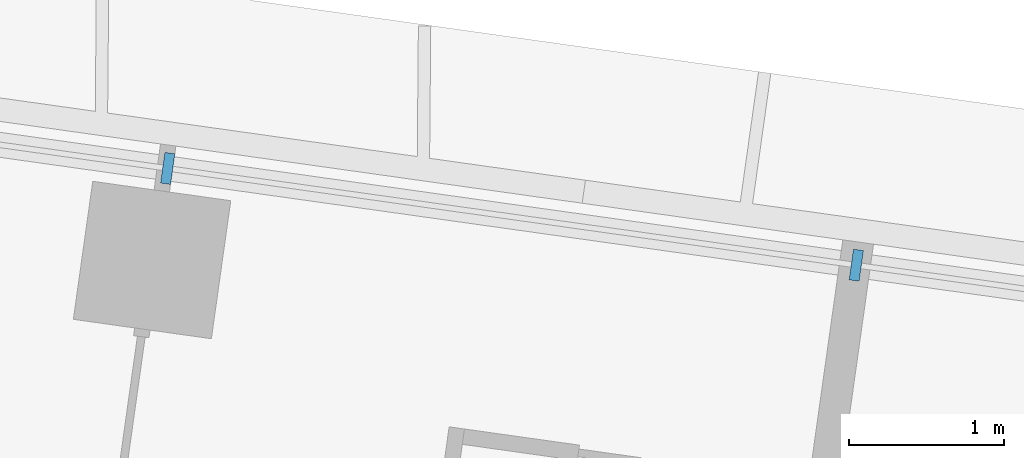
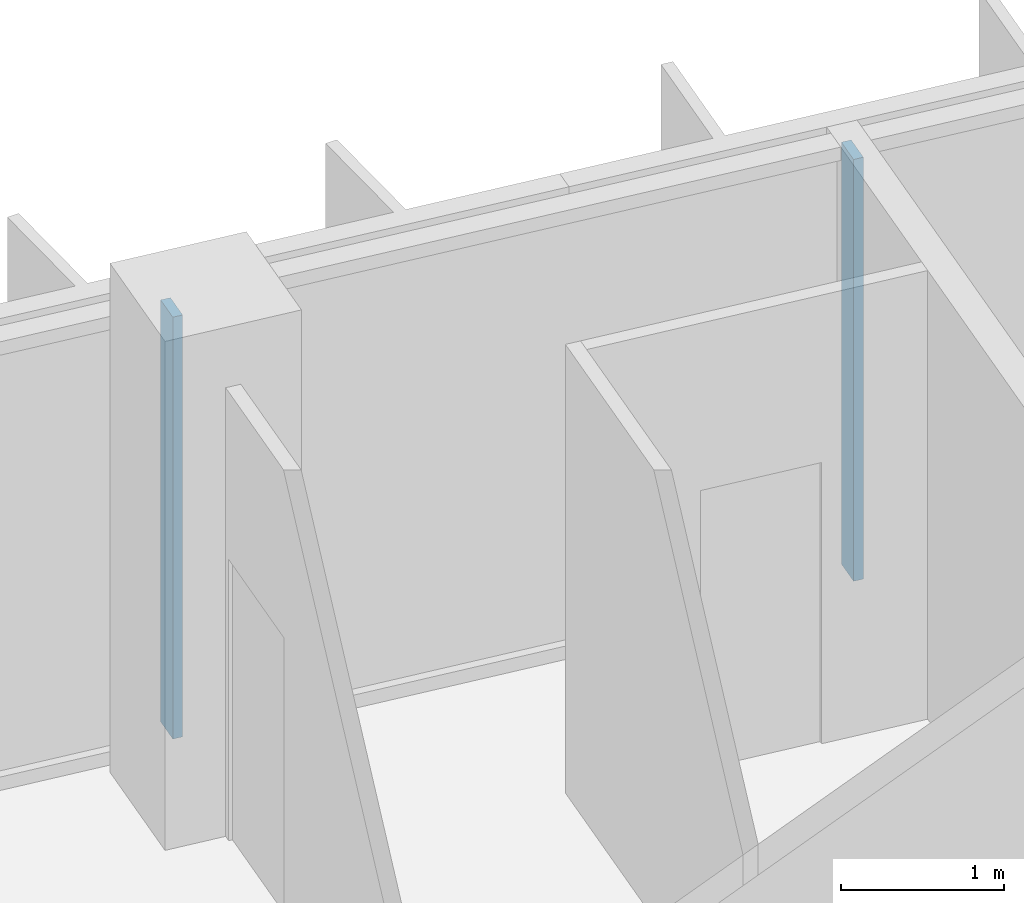
# One storey, part 3 of 26: 2 members, 1 element without a shape of its own.
"""IFC4 building model written with IfcOpenShell, lengths in metres."""

from ifc_helpers import new_model, si_unit, direction, frame, origin, origin_2d, place, context, subcontext, project, spatial, rectangle, extrude, material, material_profile, profile_set, type_object, element, aggregate, save


model = new_model("IFC4")

# Units and contexts
model_context = context("Model", 3, precision=1e-05, world=origin(), true_north=direction((0.0, 1.0)))
body_context = subcontext(model_context, "Body", "Model", "MODEL_VIEW")
ifc_project = project(units=[si_unit("LENGTHUNIT", "METRE"), si_unit("AREAUNIT", "SQUARE_METRE"), si_unit("VOLUMEUNIT", "CUBIC_METRE"), si_unit("PLANEANGLEUNIT", "RADIAN"), si_unit("MASSUNIT", "GRAM", prefix="KILO")], contexts=[model_context])

# Site, building, storey
site_placement = place(None, origin())
site = spatial("IfcSite", under=ifc_project, at=site_placement, CompositionType="ELEMENT")
building_placement = place(site_placement, origin())
building = spatial("IfcBuilding", under=site, at=building_placement, Name="Mirante Cascada Hotel Towers", CompositionType="ELEMENT")
storey_placement = place(building_placement, frame((0.0, 0.0, 140.5)))
storey = spatial("IfcBuildingStorey", under=building, at=storey_placement, Name="L32", CompositionType="ELEMENT", Elevation=140.5)

# Curtain wall, members
ifc_material_1 = material(Name="Aluminium mullion and transom frame with clear laminated glass", Category="aluminium")
curtain_wall_type = type_object("IfcCurtainWallType", Name="Ribbon curtain wall ECW1", PredefinedType="NOTDEFINED", material=ifc_material_1)
curtain_wall_placement = place(storey_placement, origin())
curtain_wall = element("IfcCurtainWall", 1, at=curtain_wall_placement, inside=storey, type_object=curtain_wall_type, Name="Front ribbon wall T1 L32", PredefinedType="NOTDEFINED")
ifc_material_2 = material(Name="Anodised aluminium extrusion", Category="aluminium")
ifc_material_profile = material_profile(ifc_material_2, rectangle(XDim=0.2, YDim=0.065, at=origin_2d()), Name="ECW1 MULLION 65x200")
ifc_profile_set = profile_set([ifc_material_profile], Name="Anodised aluminium extrusion")
member_type = type_object("IfcMemberType", Name="ECW1 mullion 65x200", PredefinedType="MULLION", material=ifc_profile_set)
member_1_placement = place(storey_placement, frame((-71.9211, 22.9269, 0.1), z_axis=(0.0, 0.0, 1.0), x_axis=(0.1391731, 0.9902681, 0.0)))
member_1 = element("IfcMember", 2, at=member_1_placement, type_object=member_type, Name="ECW1 mullion 6", PredefinedType="MULLION", context=body_context, shape_type="SweptSolid", body=[
    extrude(rectangle(XDim=0.2, YDim=0.065, at=origin_2d()), origin(), (0.0, 0.0, 1.0), 3.15),
])
member_2_placement = place(storey_placement, frame((-67.4737, 22.3018, 0.1), z_axis=(0.0, 0.0, 1.0), x_axis=(0.1391731, 0.9902681, 0.0)))
member_2 = element("IfcMember", 3, at=member_2_placement, type_object=member_type, Name="ECW1 mullion 7", PredefinedType="MULLION", context=body_context, shape_type="SweptSolid", body=[
    extrude(rectangle(XDim=0.2, YDim=0.065, at=origin_2d()), origin(), (0.0, 0.0, 1.0), 3.15),
])
aggregate(curtain_wall, [member_1, member_2])

save(model, "model.ifc")
